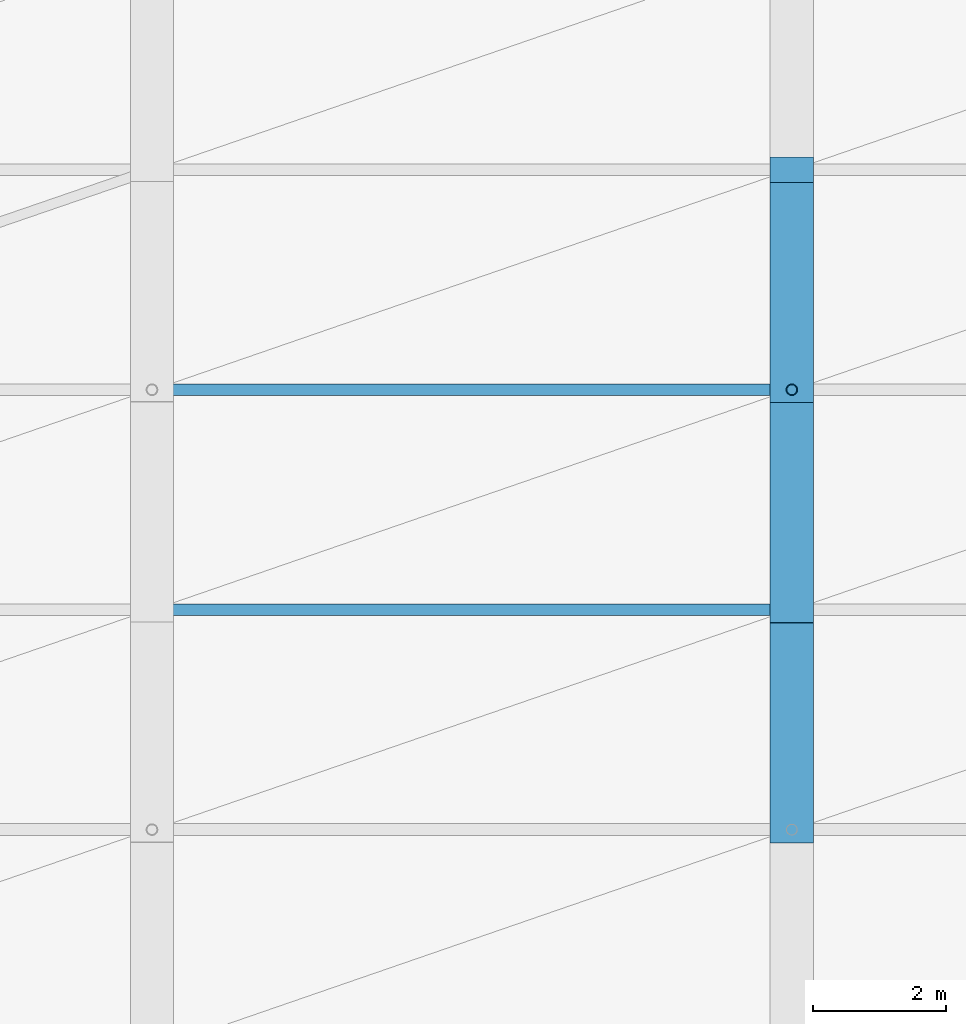
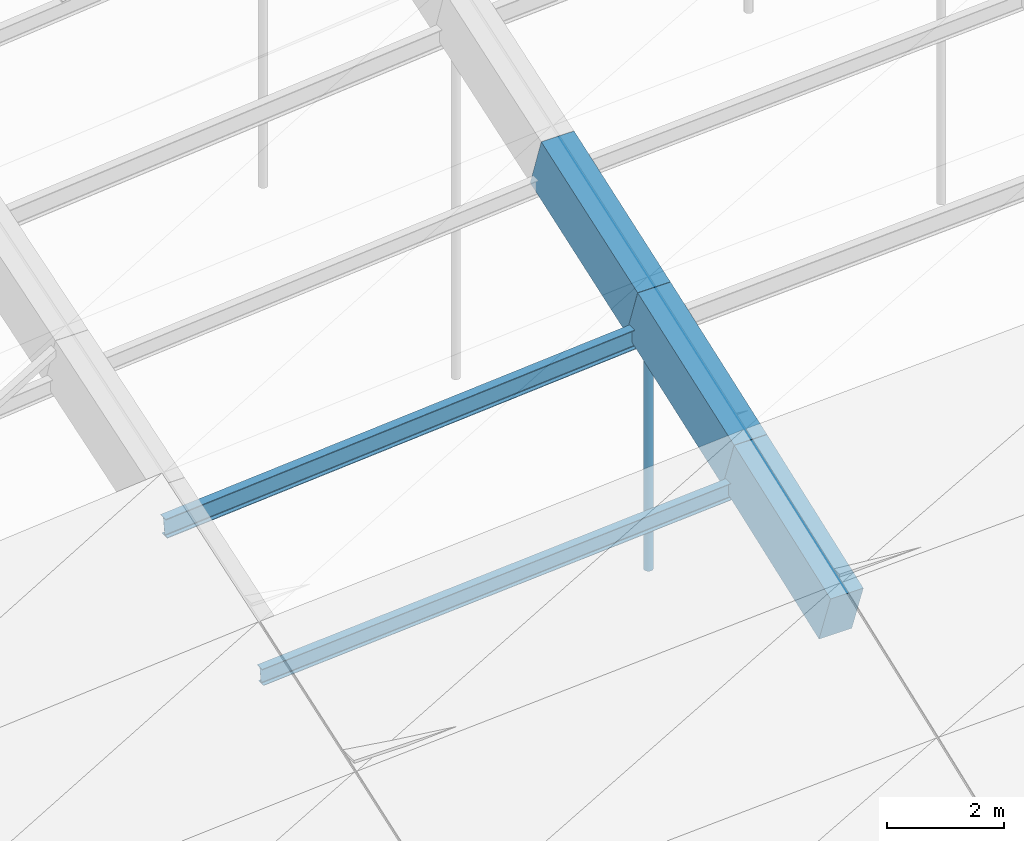
# One storey, part 4 of 43: 3 beams, 3 members.
"""IFC4 building model written with IfcOpenShell, lengths in metres."""

from ifc_helpers import new_model, si_unit, direction, frame, origin, origin_2d, place, context, subcontext, project, spatial, rectangle, hollow_circle, i_section, extrude, material, material_profile, profile_set, type_object, element, save


model = new_model("IFC4")

# Units and contexts
model_context = context("Model", 3, precision=1e-05, world=origin(), true_north=direction((0.0, 1.0)))
body_context = subcontext(model_context, "Body", "Model", "MODEL_VIEW")
ifc_project = project(units=[si_unit("LENGTHUNIT", "METRE"), si_unit("AREAUNIT", "SQUARE_METRE"), si_unit("VOLUMEUNIT", "CUBIC_METRE"), si_unit("PLANEANGLEUNIT", "RADIAN"), si_unit("MASSUNIT", "GRAM", prefix="KILO")], contexts=[model_context])

# Site, building, storey
site_placement = place(None, origin())
site = spatial("IfcSite", under=ifc_project, at=site_placement, CompositionType="ELEMENT")
building_placement = place(site_placement, origin())
building = spatial("IfcBuilding", under=site, at=building_placement, Name="Chalmorin Arch Market", CompositionType="ELEMENT")
storey_placement = place(building_placement, frame((0.0, 0.0, 18.60009765625)))
storey = spatial("IfcBuildingStorey", under=building, at=storey_placement, Name="RF", CompositionType="ELEMENT", Elevation=18.60009765625)

# Member
ifc_material_1 = material(Name="Steel A500 Grade C", Category="steel")
ifc_material_profile_1 = material_profile(ifc_material_1, hollow_circle(Radius=0.084228515625, WallThickness=0.007080078125, at=origin_2d()), Name="CHS168X7")
ifc_profile_set_1 = profile_set([ifc_material_profile_1], Name="Steel A500 Grade C")
member_type_1 = type_object("IfcMemberType", Name="ArchHangerTie-CHS168", PredefinedType="CHORD", material=ifc_profile_set_1)
member_1_placement = place(storey_placement, frame((67.199951171875, 19.199951171875, -2.845458984375), z_axis=(0.0, 0.0, 1.0), x_axis=(1.0, 0.0, 0.0)))
element("IfcMember", 1, at=member_1_placement, inside=storey, type_object=member_type_1, Name="HT-CH168-0143", PredefinedType="CHORD", context=body_context, shape_type="SweptSolid", body=[
    extrude(hollow_circle(Radius=0.084228515625, WallThickness=0.007080078125, at=origin_2d()), origin(), (0.0, 0.0, 1.0), 5.4521484375),
])

# Beams
ifc_material_2 = material(Name="Concrete C50/60", Category="concrete")
ifc_material_profile_2 = material_profile(ifc_material_2, rectangle(XDim=0.64990234375, YDim=1.14990234375, at=origin_2d()), Name="RC650X1150")
ifc_profile_set_2 = profile_set([ifc_material_profile_2], Name="Concrete C50/60")
beam_type = type_object("IfcBeamType", Name="ArchRibChord-650x1150", PredefinedType="BEAM", material=ifc_profile_set_2)
beam_1_placement = place(storey_placement, frame((67.199951171875, 12.60009765625, 0.2138671875), z_axis=(0.0, 0.938783490773, 0.344507703036), x_axis=(-1.0, 0.0, 0.0)))
element("IfcBeam", 2, at=beam_1_placement, inside=storey, type_object=beam_type, Name="AR-01-1625", PredefinedType="BEAM", context=body_context, shape_type="SweptSolid", body=[
    extrude(rectangle(XDim=0.64990234375, YDim=1.14990234375, at=origin_2d()), origin(), (0.0, 0.0, 1.0), 3.514892578125),
])
beam_2_placement = place(storey_placement, frame((67.199951171875, 15.89990234375, 1.4248046875), z_axis=(0.0, 0.941443722583, 0.337170160614), x_axis=(-1.0, 0.0, 0.0)))
element("IfcBeam", 3, at=beam_2_placement, inside=storey, type_object=beam_type, Name="AR-01-1626", PredefinedType="BEAM", context=body_context, shape_type="SweptSolid", body=[
    extrude(rectangle(XDim=0.64990234375, YDim=1.14990234375, at=origin_2d()), origin(), (0.0, 0.0, 1.0), 3.50537109375),
])
beam_3_placement = place(storey_placement, frame((67.199951171875, 19.199951171875, 2.606689453125), z_axis=(0.0, 0.944074839339, 0.32973125076), x_axis=(-1.0, 0.0, 0.0)))
element("IfcBeam", 4, at=beam_3_placement, inside=storey, type_object=beam_type, Name="AR-01-1627", PredefinedType="BEAM", context=body_context, shape_type="SweptSolid", body=[
    extrude(rectangle(XDim=0.64990234375, YDim=1.14990234375, at=origin_2d()), origin(), (0.0, 0.0, 1.0), 3.49560546875),
])

# Members
ifc_material_3 = material(Name="Steel A992 Grade 50", Category="steel")
ifc_material_profile_3 = material_profile(ifc_material_3, i_section(OverallWidth=0.1708984375, OverallDepth=0.35107421875, WebThickness=0.0068359375, FlangeThickness=0.009765625, FilletRadius=0.014892578125, at=origin_2d()), Name="W14X30")
ifc_profile_set_3 = profile_set([ifc_material_profile_3], Name="Steel A992 Grade 50")
member_type_2 = type_object("IfcMemberType", Name="RoofSteelPurlin-W14X30", PredefinedType="PURLIN", material=ifc_profile_set_3)
member_2_placement = place(storey_placement, frame((57.6201171875, 15.89990234375, 0.28076171875), z_axis=(0.997596075775, 0.0, 0.069296966726), x_axis=(0.0, 1.0, 0.0)))
element("IfcMember", 5, at=member_2_placement, inside=storey, type_object=member_type_2, Name="PR-W14-0208", PredefinedType="PURLIN", context=body_context, shape_type="SweptSolid", body=[
    extrude(i_section(OverallWidth=0.1708984375, OverallDepth=0.35107421875, WebThickness=0.0068359375, FlangeThickness=0.009765625, FilletRadius=0.014892578125, at=origin_2d()), origin(), (0.0, 0.0, 1.0), 9.582763671875),
])
ifc_material_profile_4 = material_profile(ifc_material_3, i_section(OverallWidth=0.178955078125, OverallDepth=0.409912109375, WebThickness=0.0087890625, FlangeThickness=0.014404296875, FilletRadius=0.01806640625, at=origin_2d()), Name="W16X45")
ifc_profile_set_4 = profile_set([ifc_material_profile_4], Name="Steel A992 Grade 50")
member_type_3 = type_object("IfcMemberType", Name="RoofSteelPurlin-W16X45", PredefinedType="PURLIN", material=ifc_profile_set_4)
member_3_placement = place(storey_placement, frame((57.6201171875, 19.199951171875, 1.390625), z_axis=(0.99704879106, 0.0, 0.076770490718), x_axis=(0.0, 1.0, 0.0)))
element("IfcMember", 6, at=member_3_placement, inside=storey, type_object=member_type_3, Name="PR-W16-0209", PredefinedType="PURLIN", context=body_context, shape_type="SweptSolid", body=[
    extrude(i_section(OverallWidth=0.178955078125, OverallDepth=0.409912109375, WebThickness=0.0087890625, FlangeThickness=0.014404296875, FilletRadius=0.01806640625, at=origin_2d()), origin(), (0.0, 0.0, 1.0), 9.588134765625),
])

save(model, "model.ifc")
